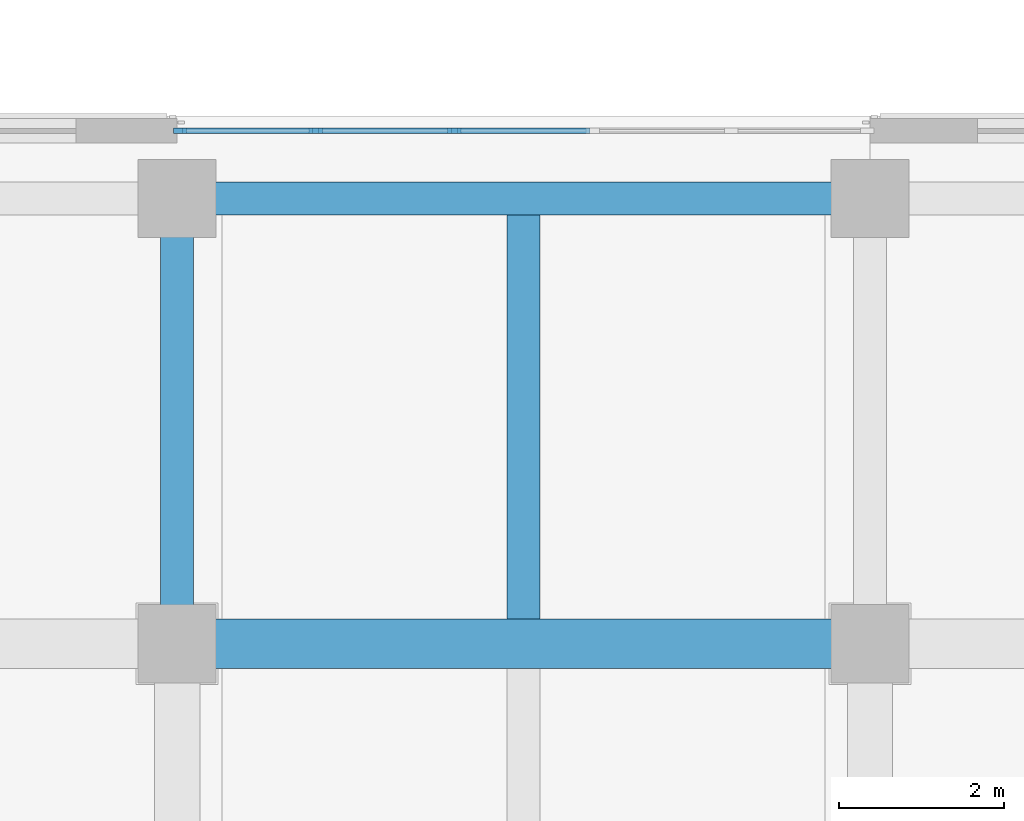
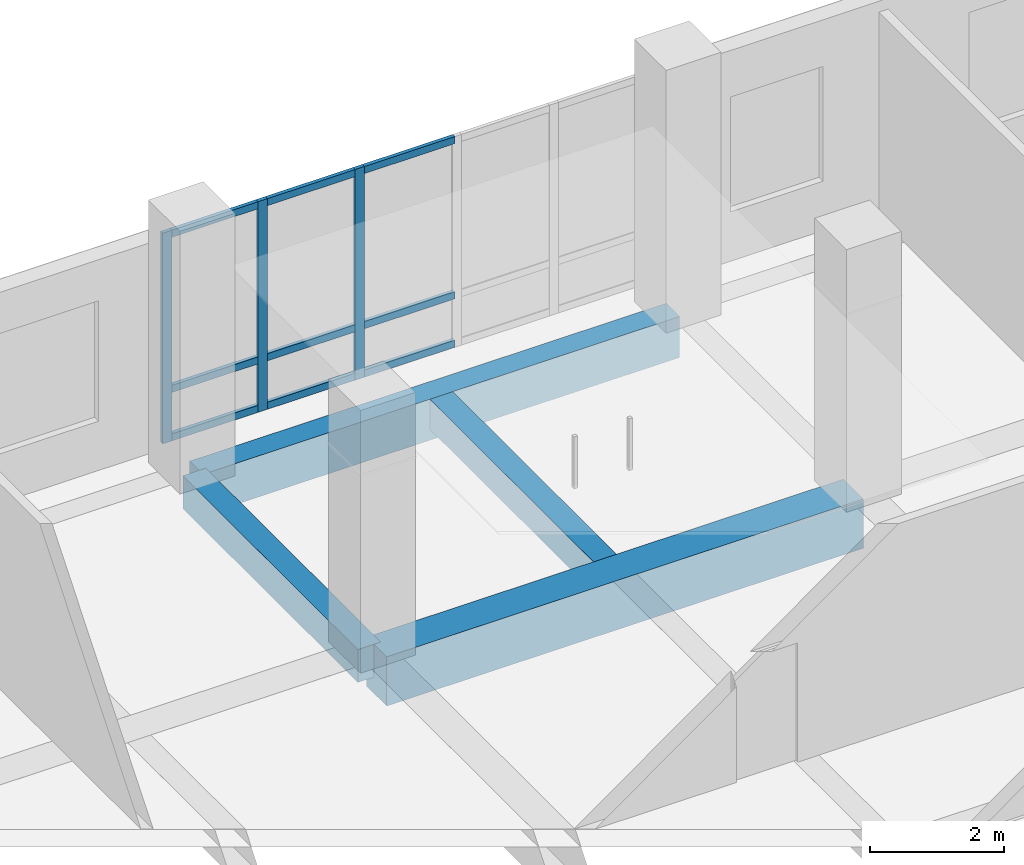
# One storey, part 15 of 122: 12 members, 4 beams, 1 element without a shape of its own.
"""IFC4 building model written with IfcOpenShell, lengths in metres."""

from ifc_helpers import new_model, si_unit, direction, frame, origin, origin_2d, place, context, subcontext, project, spatial, rectangle, extrude, material, layer, layer_set, material_profile, profile_set, type_object, element, aggregate, save


model = new_model("IFC4")

# Units and contexts
model_context = context("Model", 3, precision=1e-05, world=origin(), true_north=direction((0.0, 1.0)))
body_context = subcontext(model_context, "Body", "Model", "MODEL_VIEW")
ifc_project = project(units=[si_unit("LENGTHUNIT", "METRE"), si_unit("AREAUNIT", "SQUARE_METRE"), si_unit("VOLUMEUNIT", "CUBIC_METRE"), si_unit("PLANEANGLEUNIT", "RADIAN"), si_unit("MASSUNIT", "GRAM", prefix="KILO")], contexts=[model_context])

# Site, building, storey
site_placement = place(None, origin())
site = spatial("IfcSite", under=ifc_project, at=site_placement, CompositionType="ELEMENT")
building_placement = place(site_placement, origin())
building = spatial("IfcBuilding", under=site, at=building_placement, Name="Telukmera Botanical Conservatory", CompositionType="ELEMENT")
storey_placement = place(building_placement, frame((0.0, 0.0, 10.199951171875)))
storey = spatial("IfcBuildingStorey", under=building, at=storey_placement, Name="L02", CompositionType="ELEMENT", Elevation=10.199951171875)

# Beams
ifc_material_1 = material(Name="Concrete C40/50", Category="concrete")
ifc_material_profile_1 = material_profile(ifc_material_1, rectangle(XDim=0.39990234375, YDim=0.60009765625, at=origin_2d()), Name="RC 400x600")
ifc_profile_set_1 = profile_set([ifc_material_profile_1], Name="Concrete C40/50")
beam_type_1 = type_object("IfcBeamType", Name="Beam_B18", PredefinedType="BEAM", material=ifc_profile_set_1)
beam_1_placement = place(storey_placement, frame((67.199951171875, 42.8798828125, -0.300048828125), z_axis=(0.0, 1.0, 0.0), x_axis=(-1.0, 0.0, 0.0)))
element("IfcBeam", 1, at=beam_1_placement, inside=storey, type_object=beam_type_1, Name="Tower Transverse Beam L02", PredefinedType="BEAM", context=body_context, shape_type="SweptSolid", body=[
    extrude(rectangle(XDim=0.39990234375, YDim=0.60009765625, at=origin_2d()), origin(), (0.0, 0.0, 1.0), 5.240234375),
])
ifc_material_profile_2 = material_profile(ifc_material_1, rectangle(XDim=0.39990234375, YDim=0.550048828125, at=origin_2d()), Name="RC 400x550")
ifc_profile_set_2 = profile_set([ifc_material_profile_2], Name="Concrete C40/50")
beam_type_2 = type_object("IfcBeamType", Name="Beam_B19", PredefinedType="JOIST", material=ifc_profile_set_2)
beam_2_placement = place(storey_placement, frame((71.39990234375, 43.10009765625, -0.27490234375), z_axis=(0.0, 1.0, 0.0), x_axis=(-1.0, 0.0, 0.0)))
element("IfcBeam", 2, at=beam_2_placement, inside=storey, type_object=beam_type_2, Name="Tower Secondary Floor Joist L02", PredefinedType="JOIST", context=body_context, shape_type="SweptSolid", body=[
    extrude(rectangle(XDim=0.39990234375, YDim=0.550048828125, at=origin_2d()), origin(), (0.0, 0.0, 1.0), 4.89990234375),
])
ifc_material_profile_3 = material_profile(ifc_material_1, rectangle(XDim=0.60009765625, YDim=0.89990234375, at=origin_2d()), Name="RC 600x900")
ifc_profile_set_3 = profile_set([ifc_material_profile_3], Name="Concrete C40/50")
beam_type_3 = type_object("IfcBeamType", Name="Beam_B3", PredefinedType="BEAM", material=ifc_profile_set_3)
beam_3_placement = place(storey_placement, frame((67.280029296875, 42.800048828125, -0.449951171875), z_axis=(1.0, 0.0, 0.0), x_axis=(0.0, 1.0, 0.0)))
element("IfcBeam", 3, at=beam_3_placement, inside=storey, type_object=beam_type_3, Name="Tower Grid Beam L02", PredefinedType="BEAM", context=body_context, shape_type="SweptSolid", body=[
    extrude(rectangle(XDim=0.60009765625, YDim=0.89990234375, at=origin_2d()), origin(), (0.0, 0.0, 1.0), 8.239990234375),
])
ifc_material_2 = material(Name="Precast concrete C40/50", Category="concrete")
ifc_material_profile_4 = material_profile(ifc_material_2, rectangle(XDim=0.39990234375, YDim=0.75, at=origin_2d()), Name="PC 400x750")
ifc_profile_set_4 = profile_set([ifc_material_profile_4], Name="Precast concrete C40/50")
beam_type_4 = type_object("IfcBeamType", Name="Beam_SP1", PredefinedType="SPANDREL", material=ifc_profile_set_4)
beam_4_placement = place(storey_placement, frame((67.280029296875, 48.199951171875, -0.375), z_axis=(1.0, 0.0, 0.0), x_axis=(0.0, 1.0, 0.0)))
element("IfcBeam", 4, at=beam_4_placement, inside=storey, type_object=beam_type_4, Name="Tower Grid Beam L02", PredefinedType="SPANDREL", context=body_context, shape_type="SweptSolid", body=[
    extrude(rectangle(XDim=0.39990234375, YDim=0.75, at=origin_2d()), origin(), (0.0, 0.0, 1.0), 8.239990234375),
])

# Curtain wall, members
ifc_material_3 = material(Name="Anodised aluminium 6063-T6", Category="aluminium")
ifc_layer = layer(ifc_material_3, 0.179931640625)
ifc_layer_set = layer_set([ifc_layer], Name="Anodised aluminium 6063-T6")
curtain_wall_type = type_object("IfcCurtainWallType", Name="Tower Reference Library Curtain Wall", PredefinedType="USERDEFINED", material=ifc_layer_set)
curtain_wall_placement = place(storey_placement, origin())
curtain_wall = element("IfcCurtainWall", 5, at=curtain_wall_placement, inside=storey, type_object=curtain_wall_type, Name="Unitised Curtain Wall CW13 V4:L02:N3", ObjectType="UNITISED CURTAIN WALL", PredefinedType="USERDEFINED")
ifc_material_profile_5 = material_profile(ifc_material_3, rectangle(XDim=0.06494140625, YDim=0.159912109375, at=origin_2d()), Name="ALU MULL 65x160")
ifc_profile_set_5 = profile_set([ifc_material_profile_5], Name="Anodised aluminium 6063-T6")
member_type_1 = type_object("IfcMemberType", Name="Curtain Wall Extruded Mullion 65x160", PredefinedType="MULLION", material=ifc_profile_set_5)
member_1_placement = place(storey_placement, frame((67.234619140625, 49.02001953125, 0.0), z_axis=(0.0, 0.0, 1.0), x_axis=(0.0, 1.0, 0.0)))
member_1 = element("IfcMember", 6, at=member_1_placement, type_object=member_type_1, Name="CW13 mullion 1", PredefinedType="MULLION", context=body_context, shape_type="SweptSolid", body=[
    extrude(rectangle(XDim=0.06494140625, YDim=0.159912109375, at=origin_2d()), origin(), (0.0, 0.0, 1.0), 3.85009765625),
])
member_2_placement = place(storey_placement, frame((68.881103515625, 49.02001953125, 0.0), z_axis=(0.0, 0.0, 1.0), x_axis=(0.0, 1.0, 0.0)))
member_2 = element("IfcMember", 7, at=member_2_placement, type_object=member_type_1, Name="CW13 mullion 2", PredefinedType="MULLION", context=body_context, shape_type="SweptSolid", body=[
    extrude(rectangle(XDim=0.06494140625, YDim=0.159912109375, at=origin_2d()), origin(), (0.0, 0.0, 1.0), 3.85009765625),
])
member_3_placement = place(storey_placement, frame((70.560302734375, 49.02001953125, 0.0), z_axis=(0.0, 0.0, 1.0), x_axis=(0.0, 1.0, 0.0)))
member_3 = element("IfcMember", 8, at=member_3_placement, type_object=member_type_1, Name="CW13 mullion 3", PredefinedType="MULLION", context=body_context, shape_type="SweptSolid", body=[
    extrude(rectangle(XDim=0.06494140625, YDim=0.159912109375, at=origin_2d()), origin(), (0.0, 0.0, 1.0), 3.85009765625),
])
ifc_material_profile_6 = material_profile(ifc_material_3, rectangle(XDim=0.06494140625, YDim=0.1298828125, at=origin_2d()), Name="ALU TRAN 65x130")
ifc_profile_set_6 = profile_set([ifc_material_profile_6], Name="Anodised aluminium 6063-T6")
member_type_2 = type_object("IfcMemberType", Name="Curtain Wall Extruded Transom 65x130", PredefinedType="USERDEFINED", material=ifc_profile_set_6)
member_4_placement = place(storey_placement, frame((67.26708984375, 49.02001953125, 0.06494140625), z_axis=(1.0, 0.0, 0.0), x_axis=(0.0, 1.0, 0.0)))
member_4 = element("IfcMember", 9, at=member_4_placement, type_object=member_type_2, Name="CW13 transom 1.1", ObjectType="TRANSOM", PredefinedType="USERDEFINED", context=body_context, shape_type="SweptSolid", body=[
    extrude(rectangle(XDim=0.06494140625, YDim=0.1298828125, at=origin_2d()), origin(), (0.0, 0.0, 1.0), 1.58154296875),
])
member_5_placement = place(storey_placement, frame((67.26708984375, 49.02001953125, 0.949951171875), z_axis=(1.0, 0.0, 0.0), x_axis=(0.0, 1.0, 0.0)))
member_5 = element("IfcMember", 10, at=member_5_placement, type_object=member_type_2, Name="CW13 transom 1.2", ObjectType="TRANSOM", PredefinedType="USERDEFINED", context=body_context, shape_type="SweptSolid", body=[
    extrude(rectangle(XDim=0.06494140625, YDim=0.1298828125, at=origin_2d()), origin(), (0.0, 0.0, 1.0), 1.58154296875),
])
member_6_placement = place(storey_placement, frame((67.26708984375, 49.02001953125, 3.78515625), z_axis=(1.0, 0.0, 0.0), x_axis=(0.0, 1.0, 0.0)))
member_6 = element("IfcMember", 11, at=member_6_placement, type_object=member_type_2, Name="CW13 transom 1.3", ObjectType="TRANSOM", PredefinedType="USERDEFINED", context=body_context, shape_type="SweptSolid", body=[
    extrude(rectangle(XDim=0.06494140625, YDim=0.1298828125, at=origin_2d()), origin(), (0.0, 0.0, 1.0), 1.58154296875),
])
member_7_placement = place(storey_placement, frame((68.913818359375, 49.02001953125, 0.06494140625), z_axis=(1.0, 0.0, 0.0), x_axis=(0.0, 1.0, 0.0)))
member_7 = element("IfcMember", 12, at=member_7_placement, type_object=member_type_2, Name="CW13 transom 2.1", ObjectType="TRANSOM", PredefinedType="USERDEFINED", context=body_context, shape_type="SweptSolid", body=[
    extrude(rectangle(XDim=0.06494140625, YDim=0.1298828125, at=origin_2d()), origin(), (0.0, 0.0, 1.0), 1.614013671875),
])
member_8_placement = place(storey_placement, frame((68.913818359375, 49.02001953125, 0.949951171875), z_axis=(1.0, 0.0, 0.0), x_axis=(0.0, 1.0, 0.0)))
member_8 = element("IfcMember", 13, at=member_8_placement, type_object=member_type_2, Name="CW13 transom 2.2", ObjectType="TRANSOM", PredefinedType="USERDEFINED", context=body_context, shape_type="SweptSolid", body=[
    extrude(rectangle(XDim=0.06494140625, YDim=0.1298828125, at=origin_2d()), origin(), (0.0, 0.0, 1.0), 1.614013671875),
])
member_9_placement = place(storey_placement, frame((68.913818359375, 49.02001953125, 3.78515625), z_axis=(1.0, 0.0, 0.0), x_axis=(0.0, 1.0, 0.0)))
member_9 = element("IfcMember", 14, at=member_9_placement, type_object=member_type_2, Name="CW13 transom 2.3", ObjectType="TRANSOM", PredefinedType="USERDEFINED", context=body_context, shape_type="SweptSolid", body=[
    extrude(rectangle(XDim=0.06494140625, YDim=0.1298828125, at=origin_2d()), origin(), (0.0, 0.0, 1.0), 1.614013671875),
])
member_10_placement = place(storey_placement, frame((70.593017578125, 49.02001953125, 0.06494140625), z_axis=(1.0, 0.0, 0.0), x_axis=(0.0, 1.0, 0.0)))
member_10 = element("IfcMember", 15, at=member_10_placement, type_object=member_type_2, Name="CW13 transom 3.1", ObjectType="TRANSOM", PredefinedType="USERDEFINED", context=body_context, shape_type="SweptSolid", body=[
    extrude(rectangle(XDim=0.06494140625, YDim=0.1298828125, at=origin_2d()), origin(), (0.0, 0.0, 1.0), 1.614013671875),
])
member_11_placement = place(storey_placement, frame((70.593017578125, 49.02001953125, 0.949951171875), z_axis=(1.0, 0.0, 0.0), x_axis=(0.0, 1.0, 0.0)))
member_11 = element("IfcMember", 16, at=member_11_placement, type_object=member_type_2, Name="CW13 transom 3.2", ObjectType="TRANSOM", PredefinedType="USERDEFINED", context=body_context, shape_type="SweptSolid", body=[
    extrude(rectangle(XDim=0.06494140625, YDim=0.1298828125, at=origin_2d()), origin(), (0.0, 0.0, 1.0), 1.614013671875),
])
member_12_placement = place(storey_placement, frame((70.593017578125, 49.02001953125, 3.78515625), z_axis=(1.0, 0.0, 0.0), x_axis=(0.0, 1.0, 0.0)))
member_12 = element("IfcMember", 17, at=member_12_placement, type_object=member_type_2, Name="CW13 transom 3.3", ObjectType="TRANSOM", PredefinedType="USERDEFINED", context=body_context, shape_type="SweptSolid", body=[
    extrude(rectangle(XDim=0.06494140625, YDim=0.1298828125, at=origin_2d()), origin(), (0.0, 0.0, 1.0), 1.614013671875),
])
aggregate(curtain_wall, [member_1, member_2, member_3, member_4, member_5, member_6, member_7, member_8, member_9, member_10, member_11, member_12])

save(model, "model.ifc")
